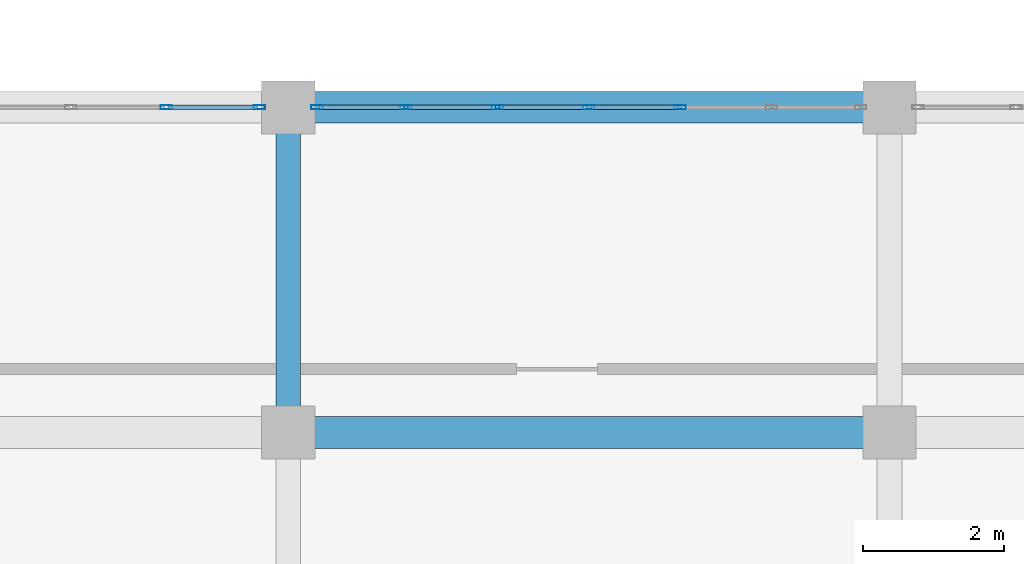
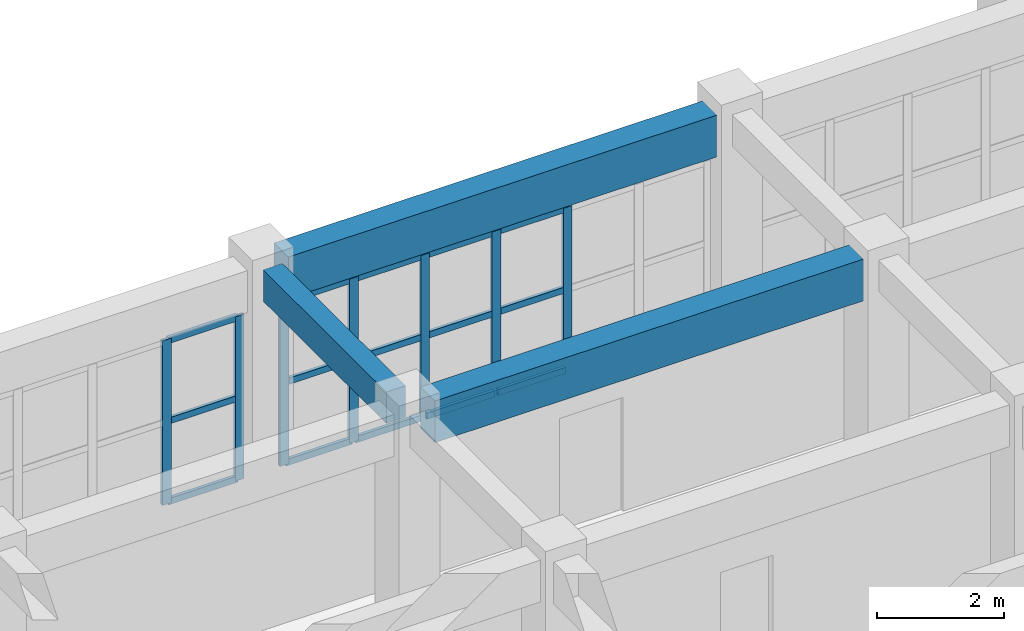
# One storey, part 4 of 90: 22 members, 3 beams, 2 elements without a shape of their own.
"""IFC4 building model written with IfcOpenShell, lengths in metres."""

from ifc_helpers import new_model, si_unit, direction, frame, origin, origin_2d, place, context, subcontext, project, spatial, rectangle, hollow_rectangle, extrude, material, layer, layer_set, material_profile, profile_set, type_object, element, aggregate, save


model = new_model("IFC4")

# Units and contexts
model_context = context("Model", 3, precision=1e-05, world=origin(), true_north=direction((0.0, 1.0)))
body_context = subcontext(model_context, "Body", "Model", "MODEL_VIEW")
ifc_project = project(units=[si_unit("LENGTHUNIT", "METRE"), si_unit("AREAUNIT", "SQUARE_METRE"), si_unit("VOLUMEUNIT", "CUBIC_METRE"), si_unit("PLANEANGLEUNIT", "RADIAN"), si_unit("MASSUNIT", "GRAM", prefix="KILO")], contexts=[model_context])

# Site, building, storey
site_placement = place(None, origin())
site = spatial("IfcSite", under=ifc_project, at=site_placement, CompositionType="ELEMENT")
building_placement = place(site_placement, origin())
building = spatial("IfcBuilding", under=site, at=building_placement, Name="Muzn Square Opera House", CompositionType="ELEMENT")
storey_placement = place(building_placement, frame((0.0, 0.0, 9.800048828125)))
storey = spatial("IfcBuildingStorey", under=building, at=storey_placement, Name="L02", CompositionType="ELEMENT", Elevation=9.800048828125)

# Curtain wall, members
ifc_material_1 = material(Name="Low-E laminated acoustic double glazing", Category="glass")
ifc_layer_1 = layer(ifc_material_1, 0.159912109375, Name="Low-E laminated acoustic double glazing", Category="glass")
ifc_layer_set_1 = layer_set([ifc_layer_1], Name="Low-E laminated acoustic double glazing")
curtain_wall_type_1 = type_object("IfcCurtainWallType", Name="Glazed Curtain Wall WestCloisterS 6750x3150", PredefinedType="USERDEFINED", material=ifc_layer_set_1)
curtain_wall_1_placement = place(storey_placement, origin())
curtain_wall_1 = element("IfcCurtainWall", 1, at=curtain_wall_1_placement, inside=storey, type_object=curtain_wall_type_1, Name="Glazed Curtain Wall CW-L02-093", ObjectType="GLAZED CURTAIN WALL", PredefinedType="USERDEFINED")
ifc_material_2 = material(Name="Anodised bronze aluminium 6063-T6", Category="metal")
ifc_material_profile_1 = material_profile(ifc_material_2, hollow_rectangle(XDim=0.06005859375, YDim=0.159912109375, WallThickness=0.00390625, at=origin_2d()), Name="ALU 160x60x4", Category="metal")
ifc_profile_set_1 = profile_set([ifc_material_profile_1], Name="Anodised bronze aluminium 6063-T6")
member_type_1 = type_object("IfcMemberType", Name="Curtain Wall Mullion 160x60", PredefinedType="MULLION", material=ifc_profile_set_1)
member_1_placement = place(storey_placement, frame((24.77490234375, 31.199951171875, 0.0), z_axis=(0.0, 0.0, 1.0), x_axis=(0.0, 1.0, 0.0)))
member_1 = element("IfcMember", 2, at=member_1_placement, type_object=member_type_1, Name="CW-WCS-67x31 mullion 5", PredefinedType="MULLION", context=body_context, shape_type="SweptSolid", body=[
    extrude(hollow_rectangle(XDim=0.06005859375, YDim=0.159912109375, WallThickness=0.00390625, at=origin_2d()), origin(), (0.0, 0.0, 1.0), 3.14990234375),
])
member_2_placement = place(storey_placement, frame((26.094970703125, 31.199951171875, 0.0), z_axis=(0.0, 0.0, 1.0), x_axis=(0.0, 1.0, 0.0)))
member_2 = element("IfcMember", 3, at=member_2_placement, type_object=member_type_1, Name="CW-WCS-67x31 mullion 6", PredefinedType="MULLION", context=body_context, shape_type="SweptSolid", body=[
    extrude(hollow_rectangle(XDim=0.06005859375, YDim=0.159912109375, WallThickness=0.00390625, at=origin_2d()), origin(), (0.0, 0.0, 1.0), 3.14990234375),
])

ifc_layer_2 = layer(ifc_material_1, 0.159912109375, Name="Low-E laminated acoustic double glazing", Category="glass")
ifc_layer_set_2 = layer_set([ifc_layer_2], Name="Low-E laminated acoustic double glazing")
curtain_wall_type_2 = type_object("IfcCurtainWallType", Name="Glazed Curtain Wall WestCloisterS 7750x3150", PredefinedType="USERDEFINED", material=ifc_layer_set_2)
curtain_wall_2_placement = place(storey_placement, origin())
curtain_wall_2 = element("IfcCurtainWall", 4, at=curtain_wall_2_placement, inside=storey, type_object=curtain_wall_type_2, Name="Glazed Curtain Wall CW-L02-095", ObjectType="GLAZED CURTAIN WALL", PredefinedType="USERDEFINED")
member_3_placement = place(storey_placement, frame((26.905029296875, 31.199951171875, 0.0), z_axis=(0.0, 0.0, 1.0), x_axis=(0.0, 1.0, 0.0)))
member_3 = element("IfcMember", 5, at=member_3_placement, type_object=member_type_1, Name="CW-WCS-77x31 mullion 1", PredefinedType="MULLION", context=body_context, shape_type="SweptSolid", body=[
    extrude(hollow_rectangle(XDim=0.06005859375, YDim=0.159912109375, WallThickness=0.00390625, at=origin_2d()), origin(), (0.0, 0.0, 1.0), 3.14990234375),
])
member_4_placement = place(storey_placement, frame((28.166748046875, 31.199951171875, 0.0), z_axis=(0.0, 0.0, 1.0), x_axis=(0.0, 1.0, 0.0)))
member_4 = element("IfcMember", 6, at=member_4_placement, type_object=member_type_1, Name="CW-WCS-77x31 mullion 2", PredefinedType="MULLION", context=body_context, shape_type="SweptSolid", body=[
    extrude(hollow_rectangle(XDim=0.06005859375, YDim=0.159912109375, WallThickness=0.00390625, at=origin_2d()), origin(), (0.0, 0.0, 1.0), 3.14990234375),
])
member_5_placement = place(storey_placement, frame((29.458251953125, 31.199951171875, 0.0), z_axis=(0.0, 0.0, 1.0), x_axis=(0.0, 1.0, 0.0)))
member_5 = element("IfcMember", 7, at=member_5_placement, type_object=member_type_1, Name="CW-WCS-77x31 mullion 3", PredefinedType="MULLION", context=body_context, shape_type="SweptSolid", body=[
    extrude(hollow_rectangle(XDim=0.06005859375, YDim=0.159912109375, WallThickness=0.00390625, at=origin_2d()), origin(), (0.0, 0.0, 1.0), 3.14990234375),
])
member_6_placement = place(storey_placement, frame((30.75, 31.199951171875, 0.0), z_axis=(0.0, 0.0, 1.0), x_axis=(0.0, 1.0, 0.0)))
member_6 = element("IfcMember", 8, at=member_6_placement, type_object=member_type_1, Name="CW-WCS-77x31 mullion 4", PredefinedType="MULLION", context=body_context, shape_type="SweptSolid", body=[
    extrude(hollow_rectangle(XDim=0.06005859375, YDim=0.159912109375, WallThickness=0.00390625, at=origin_2d()), origin(), (0.0, 0.0, 1.0), 3.14990234375),
])
member_7_placement = place(storey_placement, frame((32.041748046875, 31.199951171875, 0.0), z_axis=(0.0, 0.0, 1.0), x_axis=(0.0, 1.0, 0.0)))
member_7 = element("IfcMember", 9, at=member_7_placement, type_object=member_type_1, Name="CW-WCS-77x31 mullion 5", PredefinedType="MULLION", context=body_context, shape_type="SweptSolid", body=[
    extrude(hollow_rectangle(XDim=0.06005859375, YDim=0.159912109375, WallThickness=0.00390625, at=origin_2d()), origin(), (0.0, 0.0, 1.0), 3.14990234375),
])

# Member
ifc_material_profile_2 = material_profile(ifc_material_2, hollow_rectangle(XDim=0.06005859375, YDim=0.1201171875, WallThickness=0.00390625, at=origin_2d()), Name="ALU 120x60x4", Category="metal")
ifc_profile_set_2 = profile_set([ifc_material_profile_2], Name="Anodised bronze aluminium 6063-T6")
member_type_2 = type_object("IfcMemberType", Name="Curtain Wall Transom 120x60", PredefinedType="USERDEFINED", material=ifc_profile_set_2)
member_8_placement = place(storey_placement, frame((24.804931640625, 31.199951171875, 0.030029296875), z_axis=(1.0, 0.0, 0.0), x_axis=(0.0, 1.0, 0.0)))
member_8 = element("IfcMember", 10, at=member_8_placement, type_object=member_type_2, Name="CW-WCS-67x31 transom 5.1", ObjectType="TRANSOM", PredefinedType="USERDEFINED", context=body_context, shape_type="SweptSolid", body=[
    extrude(hollow_rectangle(XDim=0.06005859375, YDim=0.1201171875, WallThickness=0.00390625, at=origin_2d()), origin(), (0.0, 0.0, 1.0), 1.260009765625),
])

member_9_placement = place(storey_placement, frame((24.804931640625, 31.199951171875, 1.574951171875), z_axis=(1.0, 0.0, 0.0), x_axis=(0.0, 1.0, 0.0)))
member_9 = element("IfcMember", 11, at=member_9_placement, type_object=member_type_2, Name="CW-WCS-67x31 transom 5.2", ObjectType="TRANSOM", PredefinedType="USERDEFINED", context=body_context, shape_type="SweptSolid", body=[
    extrude(hollow_rectangle(XDim=0.06005859375, YDim=0.1201171875, WallThickness=0.00390625, at=origin_2d()), origin(), (0.0, 0.0, 1.0), 1.260009765625),
])

member_10_placement = place(storey_placement, frame((24.804931640625, 31.199951171875, 3.119873046875), z_axis=(1.0, 0.0, 0.0), x_axis=(0.0, 1.0, 0.0)))
member_10 = element("IfcMember", 12, at=member_10_placement, type_object=member_type_2, Name="CW-WCS-67x31 transom 5.3", ObjectType="TRANSOM", PredefinedType="USERDEFINED", context=body_context, shape_type="SweptSolid", body=[
    extrude(hollow_rectangle(XDim=0.06005859375, YDim=0.1201171875, WallThickness=0.00390625, at=origin_2d()), origin(), (0.0, 0.0, 1.0), 1.260009765625),
])

aggregate(curtain_wall_1, [member_1, member_2, member_8, member_9, member_10])

member_11_placement = place(storey_placement, frame((26.93505859375, 31.199951171875, 0.030029296875), z_axis=(1.0, 0.0, 0.0), x_axis=(0.0, 1.0, 0.0)))
member_11 = element("IfcMember", 13, at=member_11_placement, type_object=member_type_2, Name="CW-WCS-77x31 transom 1.1", ObjectType="TRANSOM", PredefinedType="USERDEFINED", context=body_context, shape_type="SweptSolid", body=[
    extrude(hollow_rectangle(XDim=0.06005859375, YDim=0.1201171875, WallThickness=0.00390625, at=origin_2d()), origin(), (0.0, 0.0, 1.0), 1.20166015625),
])

member_12_placement = place(storey_placement, frame((26.93505859375, 31.199951171875, 1.574951171875), z_axis=(1.0, 0.0, 0.0), x_axis=(0.0, 1.0, 0.0)))
member_12 = element("IfcMember", 14, at=member_12_placement, type_object=member_type_2, Name="CW-WCS-77x31 transom 1.2", ObjectType="TRANSOM", PredefinedType="USERDEFINED", context=body_context, shape_type="SweptSolid", body=[
    extrude(hollow_rectangle(XDim=0.06005859375, YDim=0.1201171875, WallThickness=0.00390625, at=origin_2d()), origin(), (0.0, 0.0, 1.0), 1.20166015625),
])

member_13_placement = place(storey_placement, frame((26.93505859375, 31.199951171875, 3.119873046875), z_axis=(1.0, 0.0, 0.0), x_axis=(0.0, 1.0, 0.0)))
member_13 = element("IfcMember", 15, at=member_13_placement, type_object=member_type_2, Name="CW-WCS-77x31 transom 1.3", ObjectType="TRANSOM", PredefinedType="USERDEFINED", context=body_context, shape_type="SweptSolid", body=[
    extrude(hollow_rectangle(XDim=0.06005859375, YDim=0.1201171875, WallThickness=0.00390625, at=origin_2d()), origin(), (0.0, 0.0, 1.0), 1.20166015625),
])

member_14_placement = place(storey_placement, frame((28.19677734375, 31.199951171875, 0.030029296875), z_axis=(1.0, 0.0, 0.0), x_axis=(0.0, 1.0, 0.0)))
member_14 = element("IfcMember", 16, at=member_14_placement, type_object=member_type_2, Name="CW-WCS-77x31 transom 2.1", ObjectType="TRANSOM", PredefinedType="USERDEFINED", context=body_context, shape_type="SweptSolid", body=[
    extrude(hollow_rectangle(XDim=0.06005859375, YDim=0.1201171875, WallThickness=0.00390625, at=origin_2d()), origin(), (0.0, 0.0, 1.0), 1.2314453125),
])

member_15_placement = place(storey_placement, frame((28.19677734375, 31.199951171875, 1.574951171875), z_axis=(1.0, 0.0, 0.0), x_axis=(0.0, 1.0, 0.0)))
member_15 = element("IfcMember", 17, at=member_15_placement, type_object=member_type_2, Name="CW-WCS-77x31 transom 2.2", ObjectType="TRANSOM", PredefinedType="USERDEFINED", context=body_context, shape_type="SweptSolid", body=[
    extrude(hollow_rectangle(XDim=0.06005859375, YDim=0.1201171875, WallThickness=0.00390625, at=origin_2d()), origin(), (0.0, 0.0, 1.0), 1.2314453125),
])

member_16_placement = place(storey_placement, frame((28.19677734375, 31.199951171875, 3.119873046875), z_axis=(1.0, 0.0, 0.0), x_axis=(0.0, 1.0, 0.0)))
member_16 = element("IfcMember", 18, at=member_16_placement, type_object=member_type_2, Name="CW-WCS-77x31 transom 2.3", ObjectType="TRANSOM", PredefinedType="USERDEFINED", context=body_context, shape_type="SweptSolid", body=[
    extrude(hollow_rectangle(XDim=0.06005859375, YDim=0.1201171875, WallThickness=0.00390625, at=origin_2d()), origin(), (0.0, 0.0, 1.0), 1.2314453125),
])

member_17_placement = place(storey_placement, frame((29.48828125, 31.199951171875, 0.030029296875), z_axis=(1.0, 0.0, 0.0), x_axis=(0.0, 1.0, 0.0)))
member_17 = element("IfcMember", 19, at=member_17_placement, type_object=member_type_2, Name="CW-WCS-77x31 transom 3.1", ObjectType="TRANSOM", PredefinedType="USERDEFINED", context=body_context, shape_type="SweptSolid", body=[
    extrude(hollow_rectangle(XDim=0.06005859375, YDim=0.1201171875, WallThickness=0.00390625, at=origin_2d()), origin(), (0.0, 0.0, 1.0), 1.231689453125),
])

member_18_placement = place(storey_placement, frame((29.48828125, 31.199951171875, 1.574951171875), z_axis=(1.0, 0.0, 0.0), x_axis=(0.0, 1.0, 0.0)))
member_18 = element("IfcMember", 20, at=member_18_placement, type_object=member_type_2, Name="CW-WCS-77x31 transom 3.2", ObjectType="TRANSOM", PredefinedType="USERDEFINED", context=body_context, shape_type="SweptSolid", body=[
    extrude(hollow_rectangle(XDim=0.06005859375, YDim=0.1201171875, WallThickness=0.00390625, at=origin_2d()), origin(), (0.0, 0.0, 1.0), 1.231689453125),
])

member_19_placement = place(storey_placement, frame((29.48828125, 31.199951171875, 3.119873046875), z_axis=(1.0, 0.0, 0.0), x_axis=(0.0, 1.0, 0.0)))
member_19 = element("IfcMember", 21, at=member_19_placement, type_object=member_type_2, Name="CW-WCS-77x31 transom 3.3", ObjectType="TRANSOM", PredefinedType="USERDEFINED", context=body_context, shape_type="SweptSolid", body=[
    extrude(hollow_rectangle(XDim=0.06005859375, YDim=0.1201171875, WallThickness=0.00390625, at=origin_2d()), origin(), (0.0, 0.0, 1.0), 1.231689453125),
])

member_20_placement = place(storey_placement, frame((30.780029296875, 31.199951171875, 0.030029296875), z_axis=(1.0, 0.0, 0.0), x_axis=(0.0, 1.0, 0.0)))
member_20 = element("IfcMember", 22, at=member_20_placement, type_object=member_type_2, Name="CW-WCS-77x31 transom 4.1", ObjectType="TRANSOM", PredefinedType="USERDEFINED", context=body_context, shape_type="SweptSolid", body=[
    extrude(hollow_rectangle(XDim=0.06005859375, YDim=0.1201171875, WallThickness=0.00390625, at=origin_2d()), origin(), (0.0, 0.0, 1.0), 1.231689453125),
])

member_21_placement = place(storey_placement, frame((30.780029296875, 31.199951171875, 1.574951171875), z_axis=(1.0, 0.0, 0.0), x_axis=(0.0, 1.0, 0.0)))
member_21 = element("IfcMember", 23, at=member_21_placement, type_object=member_type_2, Name="CW-WCS-77x31 transom 4.2", ObjectType="TRANSOM", PredefinedType="USERDEFINED", context=body_context, shape_type="SweptSolid", body=[
    extrude(hollow_rectangle(XDim=0.06005859375, YDim=0.1201171875, WallThickness=0.00390625, at=origin_2d()), origin(), (0.0, 0.0, 1.0), 1.231689453125),
])

member_22_placement = place(storey_placement, frame((30.780029296875, 31.199951171875, 3.119873046875), z_axis=(1.0, 0.0, 0.0), x_axis=(0.0, 1.0, 0.0)))
member_22 = element("IfcMember", 24, at=member_22_placement, type_object=member_type_2, Name="CW-WCS-77x31 transom 4.3", ObjectType="TRANSOM", PredefinedType="USERDEFINED", context=body_context, shape_type="SweptSolid", body=[
    extrude(hollow_rectangle(XDim=0.06005859375, YDim=0.1201171875, WallThickness=0.00390625, at=origin_2d()), origin(), (0.0, 0.0, 1.0), 1.231689453125),
])

aggregate(curtain_wall_2, [member_3, member_4, member_5, member_6, member_7, member_11, member_12, member_13, member_14, member_15, member_16, member_17, member_18, member_19, member_20, member_21, member_22])

# Beams
ifc_material_3 = material(Name="Concrete C40/50", Category="concrete")
ifc_material_profile_3 = material_profile(ifc_material_3, rectangle(XDim=0.35009765625, YDim=0.60009765625, at=origin_2d()), Name="RCB 350x600", Category="concrete")
ifc_profile_set_3 = profile_set([ifc_material_profile_3], Name="Concrete C40/50")
beam_type_1 = type_object("IfcBeamType", Name="Primary Girder 350x600", PredefinedType="BEAM", material=ifc_profile_set_3)
beam_placement = place(storey_placement, frame((26.5, 26.967041015625, 3.849853515625), z_axis=(0.0, 1.0, 0.0), x_axis=(-1.0, 0.0, 0.0)))
element("IfcBeam", 25, at=beam_placement, inside=storey, type_object=beam_type_1, Name="Primary Girder BM-L02-BM-PG600-265_270_265_308-2133", PredefinedType="BEAM", context=body_context, shape_type="SweptSolid", body=[
    extrude(rectangle(XDim=0.35009765625, YDim=0.60009765625, at=origin_2d()), origin(), (0.0, 0.0, 1.0), 3.865966796875),
])
ifc_material_profile_4 = material_profile(ifc_material_3, rectangle(XDim=0.449951171875, YDim=0.800048828125, at=origin_2d()), Name="RCB 450x800", Category="concrete")
ifc_profile_set_4 = profile_set([ifc_material_profile_4], Name="Concrete C40/50")
beam_type_2 = type_object("IfcBeamType", Name="Primary Girder 450x800", PredefinedType="BEAM", material=ifc_profile_set_4)
for number, where, z_axis, x_axis, name in (
    (26, (26.866943359375, 26.60009765625, 3.75), (1.0, 0.0, 0.0), (0.0, 1.0, 0.0), "Primary Girder BM-L02-BM-PG800-269_266_346_266-1967"),
    (27, (26.866943359375, 31.199951171875, 3.719970703125), (1.0, 0.0, 0.0), (0.0, 1.0, 0.0), "Primary Girder BM-L02-BM-PG800-269_312_346_312-1982"),
):
    element("IfcBeam", number, at=place(storey_placement, frame(where, z_axis=z_axis, x_axis=x_axis)), inside=storey, type_object=beam_type_2, Name=name, PredefinedType="BEAM", context=body_context, shape_type="SweptSolid", body=[
        extrude(rectangle(XDim=0.449951171875, YDim=0.800048828125, at=origin_2d()), origin(), (0.0, 0.0, 1.0), 7.76611328125),
    ])

save(model, "model.ifc")
